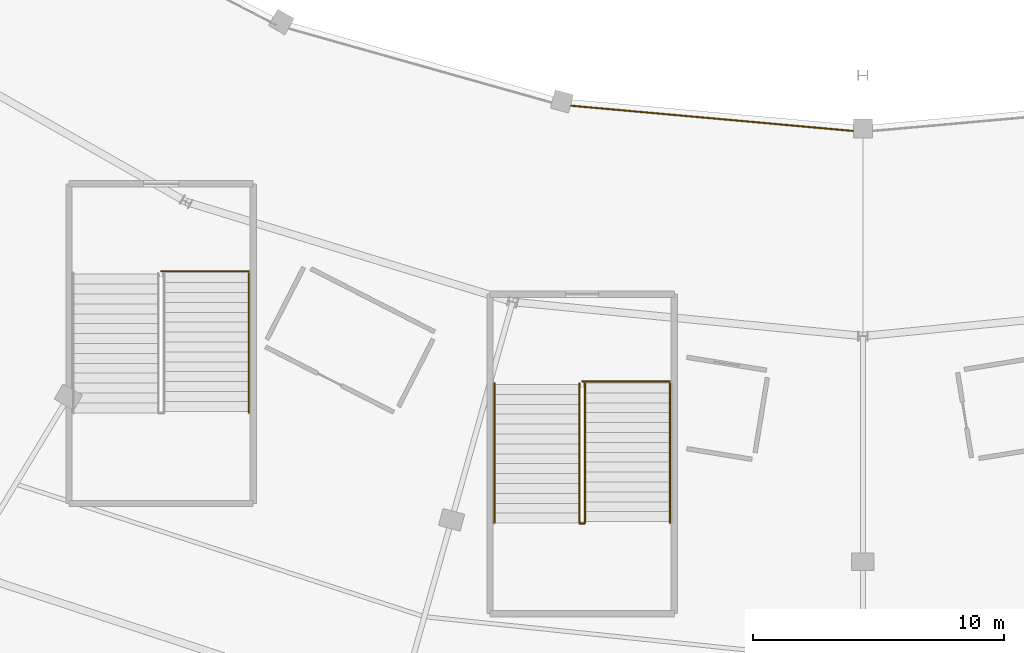
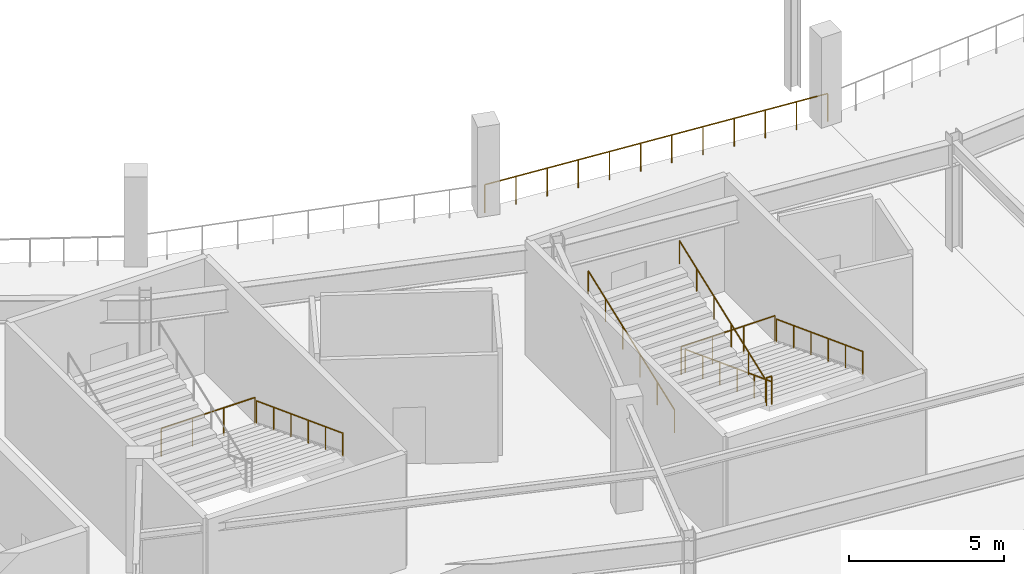
# One storey, part 106 of 123: 9 railings.
"""IFC4 building model written with IfcOpenShell, lengths in metres."""

from ifc_helpers import new_model, si_unit, direction, frame, origin, origin_2d, place, context, subcontext, project, spatial, circle, extrude, material, type_object, element, save


model = new_model("IFC4")

# Units and contexts
model_context = context("Model", 3, precision=1e-05, world=origin(), true_north=direction((0.0, 1.0)))
body_context = subcontext(model_context, "Body", "Model", "MODEL_VIEW")
ifc_project = project(units=[si_unit("LENGTHUNIT", "METRE"), si_unit("AREAUNIT", "SQUARE_METRE"), si_unit("VOLUMEUNIT", "CUBIC_METRE"), si_unit("PLANEANGLEUNIT", "RADIAN"), si_unit("MASSUNIT", "GRAM", prefix="KILO")], contexts=[model_context])

# Site, building, storey
site_placement = place(None, origin())
site = spatial("IfcSite", under=ifc_project, at=site_placement, CompositionType="ELEMENT")
building_placement = place(site_placement, origin())
building = spatial("IfcBuilding", under=site, at=building_placement, Name="Kalgoora Escarpment Arena", CompositionType="ELEMENT")
storey_placement = place(building_placement, frame((0.0, 0.0, 9.89990234375)))
storey = spatial("IfcBuildingStorey", under=building, at=storey_placement, Name="L02", CompositionType="ELEMENT", Elevation=9.89990234375)

# Railings
ifc_material_1 = material(Name="Galvanised & powdercoated tubular steel", Category="steel")
railing_type_1 = type_object("IfcRailingType", Name="RAL-GUARD-1120", PredefinedType="GUARDRAIL", material=ifc_material_1)
railing_1_placement = place(storey_placement, frame((67.889892578125, 26.590087890625, 0.0)))
element("IfcRailing", 1, at=railing_1_placement, inside=storey, type_object=railing_type_1, Name="ST13 L02 floor landing well guard", PredefinedType="GUARDRAIL", context=body_context, shape_type="SweptSolid", body=[
    extrude(circle(Radius=0.02392578125, at=origin_2d()), frame((0.0, 0.0, 1.09619140625), z_axis=(-1.0, 0.0, 0.0), x_axis=(0.0, -1.0, 0.0)), (0.0, 0.0, 1.0), 3.489990234375),
    extrude(circle(Radius=0.02099609375, at=origin_2d()), origin(), (0.0, 0.0, 1.0), 1.072021484375),
    extrude(circle(Radius=0.02099609375, at=origin_2d()), frame((-1.163330078125, 0.0, 0.0)), (0.0, 0.0, 1.0), 1.072021484375),
    extrude(circle(Radius=0.02099609375, at=origin_2d()), frame((-2.32666015625, 0.0, 0.0)), (0.0, 0.0, 1.0), 1.072021484375),
    extrude(circle(Radius=0.02099609375, at=origin_2d()), frame((-3.489990234375, 0.0, 0.0)), (0.0, 0.0, 1.0), 1.072021484375),
])
railing_2_placement = place(storey_placement, frame((81.300048828125, 16.52001953125, 2.25)))
element("IfcRailing", 2, at=railing_2_placement, inside=storey, type_object=railing_type_1, Name="ST14 L02 half-landing well guard", PredefinedType="GUARDRAIL", context=body_context, shape_type="SweptSolid", body=[
    extrude(circle(Radius=0.02392578125, at=origin_2d()), frame((0.0, 0.0, 1.09619140625), z_axis=(-1.0, 0.0, 0.0), x_axis=(0.0, -1.0, 0.0)), (0.0, 0.0, 1.0), 0.199951171875),
    extrude(circle(Radius=0.02099609375, at=origin_2d()), origin(), (0.0, 0.0, 1.0), 1.072021484375),
    extrude(circle(Radius=0.02099609375, at=origin_2d()), frame((-0.199951171875, 0.0, 0.0)), (0.0, 0.0, 1.0), 1.072021484375),
])
railing_3_placement = place(storey_placement, frame((84.68994140625, 22.18994140625, 0.0)))
element("IfcRailing", 3, at=railing_3_placement, inside=storey, type_object=railing_type_1, Name="ST14 L02 floor landing well guard", PredefinedType="GUARDRAIL", context=body_context, shape_type="SweptSolid", body=[
    extrude(circle(Radius=0.02392578125, at=origin_2d()), frame((0.0, 0.0, 1.09619140625), z_axis=(-1.0, 0.0, 0.0), x_axis=(0.0, -1.0, 0.0)), (0.0, 0.0, 1.0), 3.489990234375),
    extrude(circle(Radius=0.02099609375, at=origin_2d()), origin(), (0.0, 0.0, 1.0), 1.072021484375),
    extrude(circle(Radius=0.02099609375, at=origin_2d()), frame((-1.163330078125, 0.0, 0.0)), (0.0, 0.0, 1.0), 1.072021484375),
    extrude(circle(Radius=0.02099609375, at=origin_2d()), frame((-2.32666015625, 0.0, 0.0)), (0.0, 0.0, 1.0), 1.072021484375),
    extrude(circle(Radius=0.02099609375, at=origin_2d()), frame((-3.489990234375, 0.0, 0.0)), (0.0, 0.0, 1.0), 1.072021484375),
])
railing_4_placement = place(storey_placement, frame((80.2744140625, 33.2353515625, 0.0)))
element("IfcRailing", 4, at=railing_4_placement, inside=storey, type_object=railing_type_1, Name="L02 concourse bowl balustrade 18", PredefinedType="GUARDRAIL", context=body_context, shape_type="SweptSolid", body=[
    extrude(circle(Radius=0.02392578125, at=origin_2d()), frame((0.0, 0.0, 1.09619140625), z_axis=(0.996017186809, -0.089161446715, 0.0), x_axis=(0.089161446715, 0.996017186809, 0.0)), (0.0, 0.0, 1.0), 12.174072265625),
    extrude(circle(Radius=0.02099609375, at=origin_2d()), origin(), (0.0, 0.0, 1.0), 1.072021484375),
    extrude(circle(Radius=0.02099609375, at=origin_2d()), frame((1.102294921875, -0.0986328125, 0.0)), (0.0, 0.0, 1.0), 1.072021484375),
    extrude(circle(Radius=0.02099609375, at=origin_2d()), frame((2.20458984375, -0.197265625, 0.0)), (0.0, 0.0, 1.0), 1.072021484375),
    extrude(circle(Radius=0.02099609375, at=origin_2d()), frame((3.306884765625, -0.296142578125, 0.0)), (0.0, 0.0, 1.0), 1.072021484375),
    extrude(circle(Radius=0.02099609375, at=origin_2d()), frame((4.4091796875, -0.394775390625, 0.0)), (0.0, 0.0, 1.0), 1.072021484375),
    extrude(circle(Radius=0.02099609375, at=origin_2d()), frame((5.511474609375, -0.493408203125, 0.0)), (0.0, 0.0, 1.0), 1.072021484375),
    extrude(circle(Radius=0.02099609375, at=origin_2d()), frame((6.614013671875, -0.592041015625, 0.0)), (0.0, 0.0, 1.0), 1.072021484375),
    extrude(circle(Radius=0.02099609375, at=origin_2d()), frame((7.71630859375, -0.690673828125, 0.0)), (0.0, 0.0, 1.0), 1.072021484375),
    extrude(circle(Radius=0.02099609375, at=origin_2d()), frame((8.818603515625, -0.789306640625, 0.0)), (0.0, 0.0, 1.0), 1.072021484375),
    extrude(circle(Radius=0.02099609375, at=origin_2d()), frame((9.9208984375, -0.88818359375, 0.0)), (0.0, 0.0, 1.0), 1.072021484375),
    extrude(circle(Radius=0.02099609375, at=origin_2d()), frame((11.023193359375, -0.98681640625, 0.0)), (0.0, 0.0, 1.0), 1.072021484375),
    extrude(circle(Radius=0.02099609375, at=origin_2d()), frame((12.12548828125, -1.08544921875, 0.0)), (0.0, 0.0, 1.0), 1.072021484375),
])
ifc_material_2 = material(Name="Brushed stainless steel 316 handrail", Category="steel")
railing_type_2 = type_object("IfcRailingType", Name="RAL-HAND-920", PredefinedType="HANDRAIL", material=ifc_material_2)
for number, where, name in (
    (5, (67.89990234375, 26.510009765625, 0.110107421875), "ST13 L02 pitched stair handrail F1L"),
    (6, (84.699951171875, 22.110107421875, 0.110107421875), "ST14 L02 pitched stair handrail F1L"),
    (7, (81.31005859375, 22.110107421875, 0.110107421875), "ST14 L02 pitched stair handrail F1R"),
):
    element("IfcRailing", number, at=place(storey_placement, frame(where)), inside=storey, type_object=railing_type_2, Name=name, PredefinedType="HANDRAIL", context=body_context, shape_type="SweptSolid", body=[
        extrude(circle(Radius=0.02392578125, at=origin_2d()), frame((0.0, 0.0, 0.89599609375), z_axis=(0.0, -0.935492612948, 0.353346248203), x_axis=(1.0, 0.0, 0.0)), (0.0, 0.0, 1.0), 5.943359375),
        extrude(circle(Radius=0.02099609375, at=origin_2d()), origin(), (0.0, 0.0, 1.0), 0.871826171875),
        extrude(circle(Radius=0.02099609375, at=origin_2d()), frame((0.0, -1.112060546875, 0.419921875)), (0.0, 0.0, 1.0), 0.871826171875),
        extrude(circle(Radius=0.02099609375, at=origin_2d()), frame((0.0, -2.22412109375, 0.840087890625)), (0.0, 0.0, 1.0), 0.871826171875),
        extrude(circle(Radius=0.02099609375, at=origin_2d()), frame((0.0, -3.3359375, 1.260009765625)), (0.0, 0.0, 1.0), 0.871826171875),
        extrude(circle(Radius=0.02099609375, at=origin_2d()), frame((0.0, -4.447998046875, 1.68017578125)), (0.0, 0.0, 1.0), 0.871826171875),
        extrude(circle(Radius=0.02099609375, at=origin_2d()), frame((0.0, -5.56005859375, 2.10009765625)), (0.0, 0.0, 1.0), 0.871826171875),
    ])
for number, where, name in (
    (8, (81.090087890625, 16.550048828125, 2.360107421875), "ST14 L02 pitched stair handrail F2L"),
    (9, (77.699951171875, 16.550048828125, 2.360107421875), "ST14 L02 pitched stair handrail F2R"),
):
    element("IfcRailing", number, at=place(storey_placement, frame(where)), inside=storey, type_object=railing_type_2, Name=name, PredefinedType="HANDRAIL", context=body_context, shape_type="SweptSolid", body=[
        extrude(circle(Radius=0.02392578125, at=origin_2d()), frame((0.0, 0.0, 0.89599609375), z_axis=(0.0, 0.935492612948, 0.353346248203), x_axis=(-1.0, 0.0, 0.0)), (0.0, 0.0, 1.0), 5.943359375),
        extrude(circle(Radius=0.02099609375, at=origin_2d()), origin(), (0.0, 0.0, 1.0), 0.871826171875),
        extrude(circle(Radius=0.02099609375, at=origin_2d()), frame((0.0, 1.112060546875, 0.419921875)), (0.0, 0.0, 1.0), 0.871826171875),
        extrude(circle(Radius=0.02099609375, at=origin_2d()), frame((0.0, 2.22412109375, 0.840087890625)), (0.0, 0.0, 1.0), 0.871826171875),
        extrude(circle(Radius=0.02099609375, at=origin_2d()), frame((0.0, 3.3359375, 1.260009765625)), (0.0, 0.0, 1.0), 0.871826171875),
        extrude(circle(Radius=0.02099609375, at=origin_2d()), frame((0.0, 4.447998046875, 1.68017578125)), (0.0, 0.0, 1.0), 0.871826171875),
        extrude(circle(Radius=0.02099609375, at=origin_2d()), frame((0.0, 5.56005859375, 2.10009765625)), (0.0, 0.0, 1.0), 0.871826171875),
    ])

save(model, "model.ifc")
